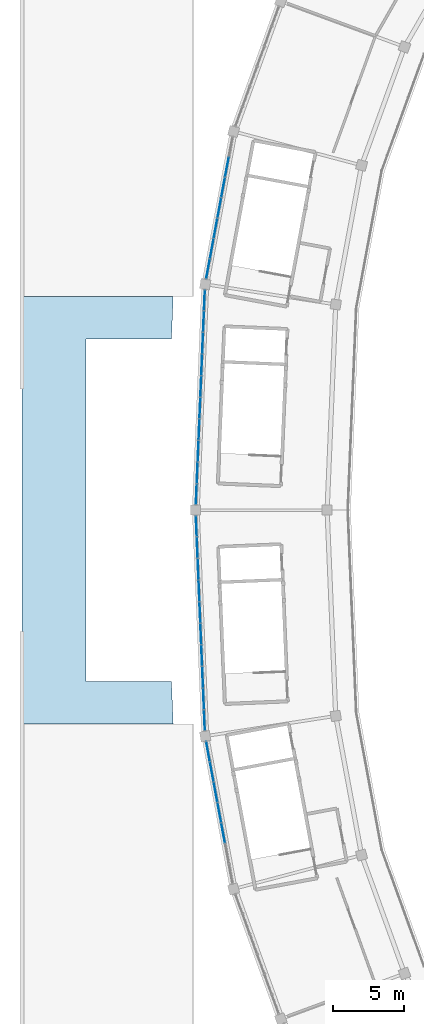
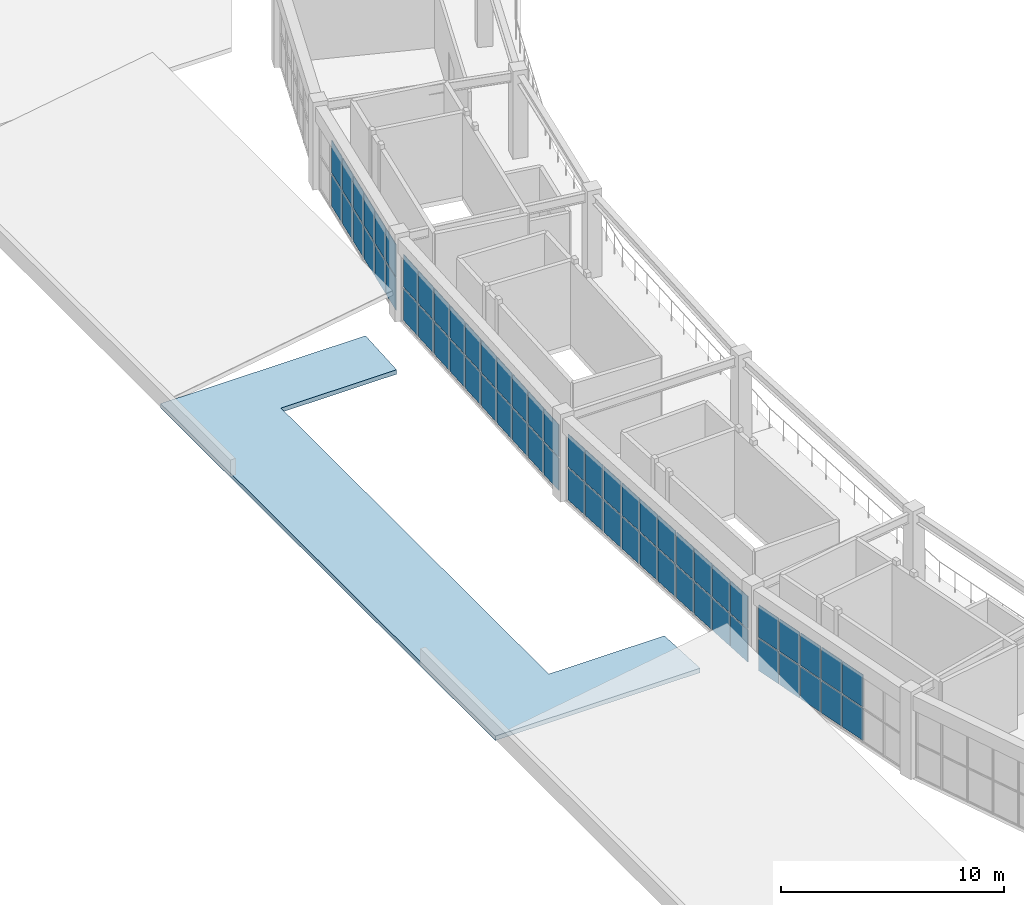
# One storey, part 31 of 45: 62 plates, 1 slab, 5 elements without a shape of their own.
"""IFC4 building model written with IfcOpenShell, lengths in metres."""

from ifc_helpers import new_model, si_unit, direction, frame, origin, origin_2d, place, context, subcontext, project, spatial, polyline, rectangle, outline, extrude, material, layer, layer_set, type_object, element, aggregate, save


model = new_model("IFC4")

# Units and contexts
model_context = context("Model", 3, precision=1e-05, world=origin(), true_north=direction((0.0, 1.0)))
body_context = subcontext(model_context, "Body", "Model", "MODEL_VIEW")
ifc_project = project(units=[si_unit("LENGTHUNIT", "METRE"), si_unit("AREAUNIT", "SQUARE_METRE"), si_unit("VOLUMEUNIT", "CUBIC_METRE"), si_unit("PLANEANGLEUNIT", "RADIAN"), si_unit("MASSUNIT", "GRAM", prefix="KILO")], contexts=[model_context])

# Site, building, storey
site_placement = place(None, origin())
site = spatial("IfcSite", under=ifc_project, at=site_placement, CompositionType="ELEMENT")
building_placement = place(site_placement, origin())
building = spatial("IfcBuilding", under=site, at=building_placement, Name="Mphavela Belvedere Stadium", CompositionType="ELEMENT")
storey_placement = place(building_placement, frame((0.0, 0.0, 24.0)))
storey = spatial("IfcBuildingStorey", under=building, at=storey_placement, Name="L05", CompositionType="ELEMENT", Elevation=24.0)

# Curtain wall, plates
ifc_material_1 = material(Name="Anodised bronze unitised curtain wall framing")
ifc_layer_1 = layer(ifc_material_1, 0.199951171875)
ifc_layer_set_1 = layer_set([ifc_layer_1], Name="Anodised bronze unitised curtain wall framing")
curtain_wall_type_1 = type_object("IfcCurtainWallType", Name="CW-UNIT-05", PredefinedType="USERDEFINED", material=ifc_layer_set_1)
curtain_wall_1_placement = place(storey_placement, origin())
curtain_wall_1 = element("IfcCurtainWall", 1, at=curtain_wall_1_placement, inside=storey, type_object=curtain_wall_type_1, Name="Belvedere colonnade curtain wall L05-23", ObjectType="UNITISED CURTAIN WALL", PredefinedType="USERDEFINED")
ifc_material_2 = material(Name="Solar-control double glazing", Category="glass")
ifc_layer_2 = layer(ifc_material_2, 0.031982421875)
ifc_layer_set_2 = layer_set([ifc_layer_2], Name="Solar-control double glazing")
plate_type = type_object("IfcPlateType", Name="CWP-SOLAR-GLASS", PredefinedType="CURTAIN_PANEL", material=ifc_layer_set_2)
plate_1_placement = place(storey_placement, frame((14.37255859375, 111.0703125, 0.06005859375), z_axis=(0.0, 0.0, 1.0), x_axis=(-0.182618040183, -0.98318393569, 0.0)))
plate_1 = element("IfcPlate", 2, at=plate_1_placement, type_object=plate_type, Name="CW-05 panel 2.1", PredefinedType="CURTAIN_PANEL", context=body_context, shape_type="SweptSolid", body=[
    extrude(rectangle(XDim=1.392822265625, YDim=0.031982421875, at=origin_2d()), origin(), (0.0, 0.0, 1.0), 1.77001953125),
])
plate_2_placement = place(storey_placement, frame((14.37255859375, 111.0703125, 1.889892578125), z_axis=(0.0, 0.0, 1.0), x_axis=(-0.182618040183, -0.98318393569, 0.0)))
plate_2 = element("IfcPlate", 3, at=plate_2_placement, type_object=plate_type, Name="CW-05 panel 2.2", PredefinedType="CURTAIN_PANEL", context=body_context, shape_type="SweptSolid", body=[
    extrude(rectangle(XDim=1.392822265625, YDim=0.031982421875, at=origin_2d()), origin(), (0.0, 0.0, 1.0), 1.77001953125),
])
plate_3_placement = place(storey_placement, frame((14.106201171875, 109.636962890625, 0.06005859375), z_axis=(0.0, 0.0, 1.0), x_axis=(-0.182618040183, -0.98318393569, 0.0)))
plate_3 = element("IfcPlate", 4, at=plate_3_placement, type_object=plate_type, Name="CW-05 panel 3.1", PredefinedType="CURTAIN_PANEL", context=body_context, shape_type="SweptSolid", body=[
    extrude(rectangle(XDim=1.392822265625, YDim=0.031982421875, at=origin_2d()), origin(), (0.0, 0.0, 1.0), 1.77001953125),
])
plate_4_placement = place(storey_placement, frame((14.106201171875, 109.636962890625, 1.889892578125), z_axis=(0.0, 0.0, 1.0), x_axis=(-0.182618040183, -0.98318393569, 0.0)))
plate_4 = element("IfcPlate", 5, at=plate_4_placement, type_object=plate_type, Name="CW-05 panel 3.2", PredefinedType="CURTAIN_PANEL", context=body_context, shape_type="SweptSolid", body=[
    extrude(rectangle(XDim=1.392822265625, YDim=0.031982421875, at=origin_2d()), origin(), (0.0, 0.0, 1.0), 1.77001953125),
])
plate_5_placement = place(storey_placement, frame((13.840087890625, 108.203857421875, 0.06005859375), z_axis=(0.0, 0.0, 1.0), x_axis=(-0.182618040183, -0.98318393569, 0.0)))
plate_5 = element("IfcPlate", 6, at=plate_5_placement, type_object=plate_type, Name="CW-05 panel 4.1", PredefinedType="CURTAIN_PANEL", context=body_context, shape_type="SweptSolid", body=[
    extrude(rectangle(XDim=1.392822265625, YDim=0.031982421875, at=origin_2d()), origin(), (0.0, 0.0, 1.0), 1.77001953125),
])
plate_6_placement = place(storey_placement, frame((13.840087890625, 108.203857421875, 1.889892578125), z_axis=(0.0, 0.0, 1.0), x_axis=(-0.182618040183, -0.98318393569, 0.0)))
plate_6 = element("IfcPlate", 7, at=plate_6_placement, type_object=plate_type, Name="CW-05 panel 4.2", PredefinedType="CURTAIN_PANEL", context=body_context, shape_type="SweptSolid", body=[
    extrude(rectangle(XDim=1.392822265625, YDim=0.031982421875, at=origin_2d()), origin(), (0.0, 0.0, 1.0), 1.77001953125),
])
plate_7_placement = place(storey_placement, frame((13.57373046875, 106.7705078125, 0.06005859375), z_axis=(0.0, 0.0, 1.0), x_axis=(-0.182618040183, -0.98318393569, 0.0)))
plate_7 = element("IfcPlate", 8, at=plate_7_placement, type_object=plate_type, Name="CW-05 panel 5.1", PredefinedType="CURTAIN_PANEL", context=body_context, shape_type="SweptSolid", body=[
    extrude(rectangle(XDim=1.392822265625, YDim=0.031982421875, at=origin_2d()), origin(), (0.0, 0.0, 1.0), 1.77001953125),
])
plate_8_placement = place(storey_placement, frame((13.57373046875, 106.7705078125, 1.889892578125), z_axis=(0.0, 0.0, 1.0), x_axis=(-0.182618040183, -0.98318393569, 0.0)))
plate_8 = element("IfcPlate", 9, at=plate_8_placement, type_object=plate_type, Name="CW-05 panel 5.2", PredefinedType="CURTAIN_PANEL", context=body_context, shape_type="SweptSolid", body=[
    extrude(rectangle(XDim=1.392822265625, YDim=0.031982421875, at=origin_2d()), origin(), (0.0, 0.0, 1.0), 1.77001953125),
])
plate_9_placement = place(storey_placement, frame((13.3076171875, 105.337158203125, 0.06005859375), z_axis=(0.0, 0.0, 1.0), x_axis=(-0.182618040183, -0.98318393569, 0.0)))
plate_9 = element("IfcPlate", 10, at=plate_9_placement, type_object=plate_type, Name="CW-05 panel 6.1", PredefinedType="CURTAIN_PANEL", context=body_context, shape_type="SweptSolid", body=[
    extrude(rectangle(XDim=1.392822265625, YDim=0.031982421875, at=origin_2d()), origin(), (0.0, 0.0, 1.0), 1.77001953125),
])
plate_10_placement = place(storey_placement, frame((13.3076171875, 105.337158203125, 1.889892578125), z_axis=(0.0, 0.0, 1.0), x_axis=(-0.182618040183, -0.98318393569, 0.0)))
plate_10 = element("IfcPlate", 11, at=plate_10_placement, type_object=plate_type, Name="CW-05 panel 6.2", PredefinedType="CURTAIN_PANEL", context=body_context, shape_type="SweptSolid", body=[
    extrude(rectangle(XDim=1.392822265625, YDim=0.031982421875, at=origin_2d()), origin(), (0.0, 0.0, 1.0), 1.77001953125),
])
plate_11_placement = place(storey_placement, frame((13.044189453125, 103.919677734375, 0.06005859375), z_axis=(0.0, 0.0, 1.0), x_axis=(-0.182618040183, -0.98318393569, 0.0)))
plate_11 = element("IfcPlate", 12, at=plate_11_placement, type_object=plate_type, Name="CW-05 panel 7.1", PredefinedType="CURTAIN_PANEL", context=body_context, shape_type="SweptSolid", body=[
    extrude(rectangle(XDim=1.3603515625, YDim=0.031982421875, at=origin_2d()), origin(), (0.0, 0.0, 1.0), 1.77001953125),
])
plate_12_placement = place(storey_placement, frame((13.044189453125, 103.919677734375, 1.889892578125), z_axis=(0.0, 0.0, 1.0), x_axis=(-0.182618040183, -0.98318393569, 0.0)))
plate_12 = element("IfcPlate", 13, at=plate_12_placement, type_object=plate_type, Name="CW-05 panel 7.2", PredefinedType="CURTAIN_PANEL", context=body_context, shape_type="SweptSolid", body=[
    extrude(rectangle(XDim=1.3603515625, YDim=0.031982421875, at=origin_2d()), origin(), (0.0, 0.0, 1.0), 1.77001953125),
])
aggregate(curtain_wall_1, [plate_1, plate_2, plate_3, plate_4, plate_5, plate_6, plate_7, plate_8, plate_9, plate_10, plate_11, plate_12])

ifc_material_3 = material(Name="Anodised bronze unitised curtain wall framing")
ifc_layer_3 = layer(ifc_material_3, 0.205078125)
ifc_layer_set_3 = layer_set([ifc_layer_3], Name="Anodised bronze unitised curtain wall framing")
curtain_wall_type_2 = type_object("IfcCurtainWallType", Name="CW-UNIT-06", PredefinedType="USERDEFINED", material=ifc_layer_set_3)
curtain_wall_2_placement = place(storey_placement, origin())
curtain_wall_2 = element("IfcCurtainWall", 14, at=curtain_wall_2_placement, inside=storey, type_object=curtain_wall_type_2, Name="Belvedere colonnade curtain wall L05-24", ObjectType="UNITISED CURTAIN WALL", PredefinedType="USERDEFINED")
plate_13_placement = place(storey_placement, frame((12.797607421875, 101.7236328125, 0.06005859375), z_axis=(0.0, 0.0, 1.0), x_axis=(-0.041904860066, -0.999121605563, 0.0)))
plate_13 = element("IfcPlate", 15, at=plate_13_placement, type_object=plate_type, Name="CW-06 panel 1.1", PredefinedType="CURTAIN_PANEL", context=body_context, shape_type="SweptSolid", body=[
    extrude(rectangle(XDim=1.418701171875, YDim=0.031982421875, at=origin_2d()), origin(), (0.0, 0.0, 1.0), 1.77001953125),
])
plate_14_placement = place(storey_placement, frame((12.797607421875, 101.7236328125, 1.889892578125), z_axis=(0.0, 0.0, 1.0), x_axis=(-0.041904860066, -0.999121605563, 0.0)))
plate_14 = element("IfcPlate", 16, at=plate_14_placement, type_object=plate_type, Name="CW-06 panel 1.2", PredefinedType="CURTAIN_PANEL", context=body_context, shape_type="SweptSolid", body=[
    extrude(rectangle(XDim=1.418701171875, YDim=0.031982421875, at=origin_2d()), origin(), (0.0, 0.0, 1.0), 1.77001953125),
])
plate_15_placement = place(storey_placement, frame((12.734619140625, 100.224853515625, 0.06005859375), z_axis=(0.0, 0.0, 1.0), x_axis=(-0.041904860066, -0.999121605563, 0.0)))
plate_15 = element("IfcPlate", 17, at=plate_15_placement, type_object=plate_type, Name="CW-06 panel 2.1", PredefinedType="CURTAIN_PANEL", context=body_context, shape_type="SweptSolid", body=[
    extrude(rectangle(XDim=1.451171875, YDim=0.031982421875, at=origin_2d()), origin(), (0.0, 0.0, 1.0), 1.77001953125),
])
plate_16_placement = place(storey_placement, frame((12.734619140625, 100.224853515625, 1.889892578125), z_axis=(0.0, 0.0, 1.0), x_axis=(-0.041904860066, -0.999121605563, 0.0)))
plate_16 = element("IfcPlate", 18, at=plate_16_placement, type_object=plate_type, Name="CW-06 panel 2.2", PredefinedType="CURTAIN_PANEL", context=body_context, shape_type="SweptSolid", body=[
    extrude(rectangle(XDim=1.451171875, YDim=0.031982421875, at=origin_2d()), origin(), (0.0, 0.0, 1.0), 1.77001953125),
])
plate_17_placement = place(storey_placement, frame((12.671142578125, 98.7099609375, 0.06005859375), z_axis=(0.0, 0.0, 1.0), x_axis=(-0.041904860066, -0.999121605563, 0.0)))
plate_17 = element("IfcPlate", 19, at=plate_17_placement, type_object=plate_type, Name="CW-06 panel 3.1", PredefinedType="CURTAIN_PANEL", context=body_context, shape_type="SweptSolid", body=[
    extrude(rectangle(XDim=1.451171875, YDim=0.031982421875, at=origin_2d()), origin(), (0.0, 0.0, 1.0), 1.77001953125),
])
plate_18_placement = place(storey_placement, frame((12.671142578125, 98.7099609375, 1.889892578125), z_axis=(0.0, 0.0, 1.0), x_axis=(-0.041904860066, -0.999121605563, 0.0)))
plate_18 = element("IfcPlate", 20, at=plate_18_placement, type_object=plate_type, Name="CW-06 panel 3.2", PredefinedType="CURTAIN_PANEL", context=body_context, shape_type="SweptSolid", body=[
    extrude(rectangle(XDim=1.451171875, YDim=0.031982421875, at=origin_2d()), origin(), (0.0, 0.0, 1.0), 1.77001953125),
])
plate_19_placement = place(storey_placement, frame((12.607666015625, 97.19482421875, 0.06005859375), z_axis=(0.0, 0.0, 1.0), x_axis=(-0.041904860066, -0.999121605563, 0.0)))
plate_19 = element("IfcPlate", 21, at=plate_19_placement, type_object=plate_type, Name="CW-06 panel 4.1", PredefinedType="CURTAIN_PANEL", context=body_context, shape_type="SweptSolid", body=[
    extrude(rectangle(XDim=1.451171875, YDim=0.031982421875, at=origin_2d()), origin(), (0.0, 0.0, 1.0), 1.77001953125),
])
plate_20_placement = place(storey_placement, frame((12.607666015625, 97.19482421875, 1.889892578125), z_axis=(0.0, 0.0, 1.0), x_axis=(-0.041904860066, -0.999121605563, 0.0)))
plate_20 = element("IfcPlate", 22, at=plate_20_placement, type_object=plate_type, Name="CW-06 panel 4.2", PredefinedType="CURTAIN_PANEL", context=body_context, shape_type="SweptSolid", body=[
    extrude(rectangle(XDim=1.451171875, YDim=0.031982421875, at=origin_2d()), origin(), (0.0, 0.0, 1.0), 1.77001953125),
])
plate_21_placement = place(storey_placement, frame((12.544189453125, 95.679931640625, 0.06005859375), z_axis=(0.0, 0.0, 1.0), x_axis=(-0.041904860066, -0.999121605563, 0.0)))
plate_21 = element("IfcPlate", 23, at=plate_21_placement, type_object=plate_type, Name="CW-06 panel 5.1", PredefinedType="CURTAIN_PANEL", context=body_context, shape_type="SweptSolid", body=[
    extrude(rectangle(XDim=1.451171875, YDim=0.031982421875, at=origin_2d()), origin(), (0.0, 0.0, 1.0), 1.77001953125),
])
plate_22_placement = place(storey_placement, frame((12.544189453125, 95.679931640625, 1.889892578125), z_axis=(0.0, 0.0, 1.0), x_axis=(-0.041904860066, -0.999121605563, 0.0)))
plate_22 = element("IfcPlate", 24, at=plate_22_placement, type_object=plate_type, Name="CW-06 panel 5.2", PredefinedType="CURTAIN_PANEL", context=body_context, shape_type="SweptSolid", body=[
    extrude(rectangle(XDim=1.451171875, YDim=0.031982421875, at=origin_2d()), origin(), (0.0, 0.0, 1.0), 1.77001953125),
])
plate_23_placement = place(storey_placement, frame((12.48046875, 94.1650390625, 0.06005859375), z_axis=(0.0, 0.0, 1.0), x_axis=(-0.041904860066, -0.999121605563, 0.0)))
plate_23 = element("IfcPlate", 25, at=plate_23_placement, type_object=plate_type, Name="CW-06 panel 6.1", PredefinedType="CURTAIN_PANEL", context=body_context, shape_type="SweptSolid", body=[
    extrude(rectangle(XDim=1.451171875, YDim=0.031982421875, at=origin_2d()), origin(), (0.0, 0.0, 1.0), 1.77001953125),
])
plate_24_placement = place(storey_placement, frame((12.48046875, 94.1650390625, 1.889892578125), z_axis=(0.0, 0.0, 1.0), x_axis=(-0.041904860066, -0.999121605563, 0.0)))
plate_24 = element("IfcPlate", 26, at=plate_24_placement, type_object=plate_type, Name="CW-06 panel 6.2", PredefinedType="CURTAIN_PANEL", context=body_context, shape_type="SweptSolid", body=[
    extrude(rectangle(XDim=1.451171875, YDim=0.031982421875, at=origin_2d()), origin(), (0.0, 0.0, 1.0), 1.77001953125),
])
plate_25_placement = place(storey_placement, frame((12.4169921875, 92.650146484375, 0.06005859375), z_axis=(0.0, 0.0, 1.0), x_axis=(-0.041904860066, -0.999121605563, 0.0)))
plate_25 = element("IfcPlate", 27, at=plate_25_placement, type_object=plate_type, Name="CW-06 panel 7.1", PredefinedType="CURTAIN_PANEL", context=body_context, shape_type="SweptSolid", body=[
    extrude(rectangle(XDim=1.451171875, YDim=0.031982421875, at=origin_2d()), origin(), (0.0, 0.0, 1.0), 1.77001953125),
])
plate_26_placement = place(storey_placement, frame((12.4169921875, 92.650146484375, 1.889892578125), z_axis=(0.0, 0.0, 1.0), x_axis=(-0.041904860066, -0.999121605563, 0.0)))
plate_26 = element("IfcPlate", 28, at=plate_26_placement, type_object=plate_type, Name="CW-06 panel 7.2", PredefinedType="CURTAIN_PANEL", context=body_context, shape_type="SweptSolid", body=[
    extrude(rectangle(XDim=1.451171875, YDim=0.031982421875, at=origin_2d()), origin(), (0.0, 0.0, 1.0), 1.77001953125),
])
plate_27_placement = place(storey_placement, frame((12.353515625, 91.135009765625, 0.06005859375), z_axis=(0.0, 0.0, 1.0), x_axis=(-0.041904860066, -0.999121605563, 0.0)))
plate_27 = element("IfcPlate", 29, at=plate_27_placement, type_object=plate_type, Name="CW-06 panel 8.1", PredefinedType="CURTAIN_PANEL", context=body_context, shape_type="SweptSolid", body=[
    extrude(rectangle(XDim=1.451171875, YDim=0.031982421875, at=origin_2d()), origin(), (0.0, 0.0, 1.0), 1.77001953125),
])
plate_28_placement = place(storey_placement, frame((12.353515625, 91.135009765625, 1.889892578125), z_axis=(0.0, 0.0, 1.0), x_axis=(-0.041904860066, -0.999121605563, 0.0)))
plate_28 = element("IfcPlate", 30, at=plate_28_placement, type_object=plate_type, Name="CW-06 panel 8.2", PredefinedType="CURTAIN_PANEL", context=body_context, shape_type="SweptSolid", body=[
    extrude(rectangle(XDim=1.451171875, YDim=0.031982421875, at=origin_2d()), origin(), (0.0, 0.0, 1.0), 1.77001953125),
])
plate_29_placement = place(storey_placement, frame((12.289794921875, 89.6201171875, 0.06005859375), z_axis=(0.0, 0.0, 1.0), x_axis=(-0.041904860066, -0.999121605563, 0.0)))
plate_29 = element("IfcPlate", 31, at=plate_29_placement, type_object=plate_type, Name="CW-06 panel 9.1", PredefinedType="CURTAIN_PANEL", context=body_context, shape_type="SweptSolid", body=[
    extrude(rectangle(XDim=1.451171875, YDim=0.031982421875, at=origin_2d()), origin(), (0.0, 0.0, 1.0), 1.77001953125),
])
plate_30_placement = place(storey_placement, frame((12.289794921875, 89.6201171875, 1.889892578125), z_axis=(0.0, 0.0, 1.0), x_axis=(-0.041904860066, -0.999121605563, 0.0)))
plate_30 = element("IfcPlate", 32, at=plate_30_placement, type_object=plate_type, Name="CW-06 panel 9.2", PredefinedType="CURTAIN_PANEL", context=body_context, shape_type="SweptSolid", body=[
    extrude(rectangle(XDim=1.451171875, YDim=0.031982421875, at=origin_2d()), origin(), (0.0, 0.0, 1.0), 1.77001953125),
])
plate_31_placement = place(storey_placement, frame((12.22705078125, 88.121337890625, 0.06005859375), z_axis=(0.0, 0.0, 1.0), x_axis=(-0.041904860066, -0.999121605563, 0.0)))
plate_31 = element("IfcPlate", 33, at=plate_31_placement, type_object=plate_type, Name="CW-06 panel 10.1", PredefinedType="CURTAIN_PANEL", context=body_context, shape_type="SweptSolid", body=[
    extrude(rectangle(XDim=1.418701171875, YDim=0.031982421875, at=origin_2d()), origin(), (0.0, 0.0, 1.0), 1.77001953125),
])
plate_32_placement = place(storey_placement, frame((12.22705078125, 88.121337890625, 1.889892578125), z_axis=(0.0, 0.0, 1.0), x_axis=(-0.041904860066, -0.999121605563, 0.0)))
plate_32 = element("IfcPlate", 34, at=plate_32_placement, type_object=plate_type, Name="CW-06 panel 10.2", PredefinedType="CURTAIN_PANEL", context=body_context, shape_type="SweptSolid", body=[
    extrude(rectangle(XDim=1.418701171875, YDim=0.031982421875, at=origin_2d()), origin(), (0.0, 0.0, 1.0), 1.77001953125),
])
aggregate(curtain_wall_2, [plate_13, plate_14, plate_15, plate_16, plate_17, plate_18, plate_19, plate_20, plate_21, plate_22, plate_23, plate_24, plate_25, plate_26, plate_27, plate_28, plate_29, plate_30, plate_31, plate_32])

ifc_material_4 = material(Name="Anodised bronze unitised curtain wall framing")
ifc_layer_4 = layer(ifc_material_4, 0.179931640625)
ifc_layer_set_4 = layer_set([ifc_layer_4], Name="Anodised bronze unitised curtain wall framing")
curtain_wall_type_3 = type_object("IfcCurtainWallType", Name="CW-UNIT-01", PredefinedType="USERDEFINED", material=ifc_layer_set_4)
curtain_wall_3_placement = place(storey_placement, origin())
curtain_wall_3 = element("IfcCurtainWall", 35, at=curtain_wall_3_placement, inside=storey, type_object=curtain_wall_type_3, Name="Belvedere colonnade curtain wall L05-25", ObjectType="UNITISED CURTAIN WALL", PredefinedType="USERDEFINED")
plate_33_placement = place(storey_placement, frame((12.22705078125, 85.878662109375, 0.06005859375), z_axis=(0.0, 0.0, 1.0), x_axis=(0.041904860066, -0.999121605563, 0.0)))
plate_33 = element("IfcPlate", 36, at=plate_33_placement, type_object=plate_type, Name="CW-01 panel 1.1", PredefinedType="CURTAIN_PANEL", context=body_context, shape_type="SweptSolid", body=[
    extrude(rectangle(XDim=1.418701171875, YDim=0.031982421875, at=origin_2d()), origin(), (0.0, 0.0, 1.0), 1.77001953125),
])
plate_34_placement = place(storey_placement, frame((12.22705078125, 85.878662109375, 1.889892578125), z_axis=(0.0, 0.0, 1.0), x_axis=(0.041904860066, -0.999121605563, 0.0)))
plate_34 = element("IfcPlate", 37, at=plate_34_placement, type_object=plate_type, Name="CW-01 panel 1.2", PredefinedType="CURTAIN_PANEL", context=body_context, shape_type="SweptSolid", body=[
    extrude(rectangle(XDim=1.418701171875, YDim=0.031982421875, at=origin_2d()), origin(), (0.0, 0.0, 1.0), 1.77001953125),
])
plate_35_placement = place(storey_placement, frame((12.289794921875, 84.3798828125, 0.06005859375), z_axis=(0.0, 0.0, 1.0), x_axis=(0.041904860066, -0.999121605563, 0.0)))
plate_35 = element("IfcPlate", 38, at=plate_35_placement, type_object=plate_type, Name="CW-01 panel 2.1", PredefinedType="CURTAIN_PANEL", context=body_context, shape_type="SweptSolid", body=[
    extrude(rectangle(XDim=1.451171875, YDim=0.031982421875, at=origin_2d()), origin(), (0.0, 0.0, 1.0), 1.77001953125),
])
plate_36_placement = place(storey_placement, frame((12.289794921875, 84.3798828125, 1.889892578125), z_axis=(0.0, 0.0, 1.0), x_axis=(0.041904860066, -0.999121605563, 0.0)))
plate_36 = element("IfcPlate", 39, at=plate_36_placement, type_object=plate_type, Name="CW-01 panel 2.2", PredefinedType="CURTAIN_PANEL", context=body_context, shape_type="SweptSolid", body=[
    extrude(rectangle(XDim=1.451171875, YDim=0.031982421875, at=origin_2d()), origin(), (0.0, 0.0, 1.0), 1.77001953125),
])
plate_37_placement = place(storey_placement, frame((12.353515625, 82.864990234375, 0.06005859375), z_axis=(0.0, 0.0, 1.0), x_axis=(0.041904860066, -0.999121605563, 0.0)))
plate_37 = element("IfcPlate", 40, at=plate_37_placement, type_object=plate_type, Name="CW-01 panel 3.1", PredefinedType="CURTAIN_PANEL", context=body_context, shape_type="SweptSolid", body=[
    extrude(rectangle(XDim=1.451171875, YDim=0.031982421875, at=origin_2d()), origin(), (0.0, 0.0, 1.0), 1.77001953125),
])
plate_38_placement = place(storey_placement, frame((12.353515625, 82.864990234375, 1.889892578125), z_axis=(0.0, 0.0, 1.0), x_axis=(0.041904860066, -0.999121605563, 0.0)))
plate_38 = element("IfcPlate", 41, at=plate_38_placement, type_object=plate_type, Name="CW-01 panel 3.2", PredefinedType="CURTAIN_PANEL", context=body_context, shape_type="SweptSolid", body=[
    extrude(rectangle(XDim=1.451171875, YDim=0.031982421875, at=origin_2d()), origin(), (0.0, 0.0, 1.0), 1.77001953125),
])
plate_39_placement = place(storey_placement, frame((12.4169921875, 81.349853515625, 0.06005859375), z_axis=(0.0, 0.0, 1.0), x_axis=(0.041904860066, -0.999121605563, 0.0)))
plate_39 = element("IfcPlate", 42, at=plate_39_placement, type_object=plate_type, Name="CW-01 panel 4.1", PredefinedType="CURTAIN_PANEL", context=body_context, shape_type="SweptSolid", body=[
    extrude(rectangle(XDim=1.451171875, YDim=0.031982421875, at=origin_2d()), origin(), (0.0, 0.0, 1.0), 1.77001953125),
])
plate_40_placement = place(storey_placement, frame((12.4169921875, 81.349853515625, 1.889892578125), z_axis=(0.0, 0.0, 1.0), x_axis=(0.041904860066, -0.999121605563, 0.0)))
plate_40 = element("IfcPlate", 43, at=plate_40_placement, type_object=plate_type, Name="CW-01 panel 4.2", PredefinedType="CURTAIN_PANEL", context=body_context, shape_type="SweptSolid", body=[
    extrude(rectangle(XDim=1.451171875, YDim=0.031982421875, at=origin_2d()), origin(), (0.0, 0.0, 1.0), 1.77001953125),
])
plate_41_placement = place(storey_placement, frame((12.48046875, 79.8349609375, 0.06005859375), z_axis=(0.0, 0.0, 1.0), x_axis=(0.041904860066, -0.999121605563, 0.0)))
plate_41 = element("IfcPlate", 44, at=plate_41_placement, type_object=plate_type, Name="CW-01 panel 5.1", PredefinedType="CURTAIN_PANEL", context=body_context, shape_type="SweptSolid", body=[
    extrude(rectangle(XDim=1.451171875, YDim=0.031982421875, at=origin_2d()), origin(), (0.0, 0.0, 1.0), 1.77001953125),
])
plate_42_placement = place(storey_placement, frame((12.48046875, 79.8349609375, 1.889892578125), z_axis=(0.0, 0.0, 1.0), x_axis=(0.041904860066, -0.999121605563, 0.0)))
plate_42 = element("IfcPlate", 45, at=plate_42_placement, type_object=plate_type, Name="CW-01 panel 5.2", PredefinedType="CURTAIN_PANEL", context=body_context, shape_type="SweptSolid", body=[
    extrude(rectangle(XDim=1.451171875, YDim=0.031982421875, at=origin_2d()), origin(), (0.0, 0.0, 1.0), 1.77001953125),
])
plate_43_placement = place(storey_placement, frame((12.544189453125, 78.320068359375, 0.06005859375), z_axis=(0.0, 0.0, 1.0), x_axis=(0.041904860066, -0.999121605563, 0.0)))
plate_43 = element("IfcPlate", 46, at=plate_43_placement, type_object=plate_type, Name="CW-01 panel 6.1", PredefinedType="CURTAIN_PANEL", context=body_context, shape_type="SweptSolid", body=[
    extrude(rectangle(XDim=1.451171875, YDim=0.031982421875, at=origin_2d()), origin(), (0.0, 0.0, 1.0), 1.77001953125),
])
plate_44_placement = place(storey_placement, frame((12.544189453125, 78.320068359375, 1.889892578125), z_axis=(0.0, 0.0, 1.0), x_axis=(0.041904860066, -0.999121605563, 0.0)))
plate_44 = element("IfcPlate", 47, at=plate_44_placement, type_object=plate_type, Name="CW-01 panel 6.2", PredefinedType="CURTAIN_PANEL", context=body_context, shape_type="SweptSolid", body=[
    extrude(rectangle(XDim=1.451171875, YDim=0.031982421875, at=origin_2d()), origin(), (0.0, 0.0, 1.0), 1.77001953125),
])
plate_45_placement = place(storey_placement, frame((12.607666015625, 76.80517578125, 0.06005859375), z_axis=(0.0, 0.0, 1.0), x_axis=(0.041904860066, -0.999121605563, 0.0)))
plate_45 = element("IfcPlate", 48, at=plate_45_placement, type_object=plate_type, Name="CW-01 panel 7.1", PredefinedType="CURTAIN_PANEL", context=body_context, shape_type="SweptSolid", body=[
    extrude(rectangle(XDim=1.451171875, YDim=0.031982421875, at=origin_2d()), origin(), (0.0, 0.0, 1.0), 1.77001953125),
])
plate_46_placement = place(storey_placement, frame((12.607666015625, 76.80517578125, 1.889892578125), z_axis=(0.0, 0.0, 1.0), x_axis=(0.041904860066, -0.999121605563, 0.0)))
plate_46 = element("IfcPlate", 49, at=plate_46_placement, type_object=plate_type, Name="CW-01 panel 7.2", PredefinedType="CURTAIN_PANEL", context=body_context, shape_type="SweptSolid", body=[
    extrude(rectangle(XDim=1.451171875, YDim=0.031982421875, at=origin_2d()), origin(), (0.0, 0.0, 1.0), 1.77001953125),
])
plate_47_placement = place(storey_placement, frame((12.671142578125, 75.2900390625, 0.06005859375), z_axis=(0.0, 0.0, 1.0), x_axis=(0.041904860066, -0.999121605563, 0.0)))
plate_47 = element("IfcPlate", 50, at=plate_47_placement, type_object=plate_type, Name="CW-01 panel 8.1", PredefinedType="CURTAIN_PANEL", context=body_context, shape_type="SweptSolid", body=[
    extrude(rectangle(XDim=1.451171875, YDim=0.031982421875, at=origin_2d()), origin(), (0.0, 0.0, 1.0), 1.77001953125),
])
plate_48_placement = place(storey_placement, frame((12.671142578125, 75.2900390625, 1.889892578125), z_axis=(0.0, 0.0, 1.0), x_axis=(0.041904860066, -0.999121605563, 0.0)))
plate_48 = element("IfcPlate", 51, at=plate_48_placement, type_object=plate_type, Name="CW-01 panel 8.2", PredefinedType="CURTAIN_PANEL", context=body_context, shape_type="SweptSolid", body=[
    extrude(rectangle(XDim=1.451171875, YDim=0.031982421875, at=origin_2d()), origin(), (0.0, 0.0, 1.0), 1.77001953125),
])
plate_49_placement = place(storey_placement, frame((12.734619140625, 73.775146484375, 0.06005859375), z_axis=(0.0, 0.0, 1.0), x_axis=(0.041904860066, -0.999121605563, 0.0)))
plate_49 = element("IfcPlate", 52, at=plate_49_placement, type_object=plate_type, Name="CW-01 panel 9.1", PredefinedType="CURTAIN_PANEL", context=body_context, shape_type="SweptSolid", body=[
    extrude(rectangle(XDim=1.451171875, YDim=0.031982421875, at=origin_2d()), origin(), (0.0, 0.0, 1.0), 1.77001953125),
])
plate_50_placement = place(storey_placement, frame((12.734619140625, 73.775146484375, 1.889892578125), z_axis=(0.0, 0.0, 1.0), x_axis=(0.041904860066, -0.999121605563, 0.0)))
plate_50 = element("IfcPlate", 53, at=plate_50_placement, type_object=plate_type, Name="CW-01 panel 9.2", PredefinedType="CURTAIN_PANEL", context=body_context, shape_type="SweptSolid", body=[
    extrude(rectangle(XDim=1.451171875, YDim=0.031982421875, at=origin_2d()), origin(), (0.0, 0.0, 1.0), 1.77001953125),
])
plate_51_placement = place(storey_placement, frame((12.797607421875, 72.2763671875, 0.06005859375), z_axis=(0.0, 0.0, 1.0), x_axis=(0.041904860066, -0.999121605563, 0.0)))
plate_51 = element("IfcPlate", 54, at=plate_51_placement, type_object=plate_type, Name="CW-01 panel 10.1", PredefinedType="CURTAIN_PANEL", context=body_context, shape_type="SweptSolid", body=[
    extrude(rectangle(XDim=1.418701171875, YDim=0.031982421875, at=origin_2d()), origin(), (0.0, 0.0, 1.0), 1.77001953125),
])
plate_52_placement = place(storey_placement, frame((12.797607421875, 72.2763671875, 1.889892578125), z_axis=(0.0, 0.0, 1.0), x_axis=(0.041904860066, -0.999121605563, 0.0)))
plate_52 = element("IfcPlate", 55, at=plate_52_placement, type_object=plate_type, Name="CW-01 panel 10.2", PredefinedType="CURTAIN_PANEL", context=body_context, shape_type="SweptSolid", body=[
    extrude(rectangle(XDim=1.418701171875, YDim=0.031982421875, at=origin_2d()), origin(), (0.0, 0.0, 1.0), 1.77001953125),
])
aggregate(curtain_wall_3, [plate_33, plate_34, plate_35, plate_36, plate_37, plate_38, plate_39, plate_40, plate_41, plate_42, plate_43, plate_44, plate_45, plate_46, plate_47, plate_48, plate_49, plate_50, plate_51, plate_52])

ifc_material_5 = material(Name="Anodised bronze unitised curtain wall framing")
ifc_layer_5 = layer(ifc_material_5, 0.18505859375)
ifc_layer_set_5 = layer_set([ifc_layer_5], Name="Anodised bronze unitised curtain wall framing")
curtain_wall_type_4 = type_object("IfcCurtainWallType", Name="CW-UNIT-02", PredefinedType="USERDEFINED", material=ifc_layer_set_5)
curtain_wall_4_placement = place(storey_placement, origin())
curtain_wall_4 = element("IfcCurtainWall", 56, at=curtain_wall_4_placement, inside=storey, type_object=curtain_wall_type_4, Name="Belvedere colonnade curtain wall L05-26", ObjectType="UNITISED CURTAIN WALL", PredefinedType="USERDEFINED")
plate_53_placement = place(storey_placement, frame((13.044189453125, 70.080322265625, 0.06005859375), z_axis=(0.0, 0.0, 1.0), x_axis=(0.182618040183, -0.98318393569, 0.0)))
plate_53 = element("IfcPlate", 57, at=plate_53_placement, type_object=plate_type, Name="CW-02 panel 1.1", PredefinedType="CURTAIN_PANEL", context=body_context, shape_type="SweptSolid", body=[
    extrude(rectangle(XDim=1.3603515625, YDim=0.031982421875, at=origin_2d()), origin(), (0.0, 0.0, 1.0), 1.77001953125),
])
plate_54_placement = place(storey_placement, frame((13.044189453125, 70.080322265625, 1.889892578125), z_axis=(0.0, 0.0, 1.0), x_axis=(0.182618040183, -0.98318393569, 0.0)))
plate_54 = element("IfcPlate", 58, at=plate_54_placement, type_object=plate_type, Name="CW-02 panel 1.2", PredefinedType="CURTAIN_PANEL", context=body_context, shape_type="SweptSolid", body=[
    extrude(rectangle(XDim=1.3603515625, YDim=0.031982421875, at=origin_2d()), origin(), (0.0, 0.0, 1.0), 1.77001953125),
])
plate_55_placement = place(storey_placement, frame((13.3076171875, 68.662841796875, 0.06005859375), z_axis=(0.0, 0.0, 1.0), x_axis=(0.182618040183, -0.98318393569, 0.0)))
plate_55 = element("IfcPlate", 59, at=plate_55_placement, type_object=plate_type, Name="CW-02 panel 2.1", PredefinedType="CURTAIN_PANEL", context=body_context, shape_type="SweptSolid", body=[
    extrude(rectangle(XDim=1.392822265625, YDim=0.031982421875, at=origin_2d()), origin(), (0.0, 0.0, 1.0), 1.77001953125),
])
plate_56_placement = place(storey_placement, frame((13.3076171875, 68.662841796875, 1.889892578125), z_axis=(0.0, 0.0, 1.0), x_axis=(0.182618040183, -0.98318393569, 0.0)))
plate_56 = element("IfcPlate", 60, at=plate_56_placement, type_object=plate_type, Name="CW-02 panel 2.2", PredefinedType="CURTAIN_PANEL", context=body_context, shape_type="SweptSolid", body=[
    extrude(rectangle(XDim=1.392822265625, YDim=0.031982421875, at=origin_2d()), origin(), (0.0, 0.0, 1.0), 1.77001953125),
])
plate_57_placement = place(storey_placement, frame((13.57373046875, 67.2294921875, 0.06005859375), z_axis=(0.0, 0.0, 1.0), x_axis=(0.182618040183, -0.98318393569, 0.0)))
plate_57 = element("IfcPlate", 61, at=plate_57_placement, type_object=plate_type, Name="CW-02 panel 3.1", PredefinedType="CURTAIN_PANEL", context=body_context, shape_type="SweptSolid", body=[
    extrude(rectangle(XDim=1.392822265625, YDim=0.031982421875, at=origin_2d()), origin(), (0.0, 0.0, 1.0), 1.77001953125),
])
plate_58_placement = place(storey_placement, frame((13.57373046875, 67.2294921875, 1.889892578125), z_axis=(0.0, 0.0, 1.0), x_axis=(0.182618040183, -0.98318393569, 0.0)))
plate_58 = element("IfcPlate", 62, at=plate_58_placement, type_object=plate_type, Name="CW-02 panel 3.2", PredefinedType="CURTAIN_PANEL", context=body_context, shape_type="SweptSolid", body=[
    extrude(rectangle(XDim=1.392822265625, YDim=0.031982421875, at=origin_2d()), origin(), (0.0, 0.0, 1.0), 1.77001953125),
])
plate_59_placement = place(storey_placement, frame((13.840087890625, 65.796142578125, 0.06005859375), z_axis=(0.0, 0.0, 1.0), x_axis=(0.182618040183, -0.98318393569, 0.0)))
plate_59 = element("IfcPlate", 63, at=plate_59_placement, type_object=plate_type, Name="CW-02 panel 4.1", PredefinedType="CURTAIN_PANEL", context=body_context, shape_type="SweptSolid", body=[
    extrude(rectangle(XDim=1.392822265625, YDim=0.031982421875, at=origin_2d()), origin(), (0.0, 0.0, 1.0), 1.77001953125),
])
plate_60_placement = place(storey_placement, frame((13.840087890625, 65.796142578125, 1.889892578125), z_axis=(0.0, 0.0, 1.0), x_axis=(0.182618040183, -0.98318393569, 0.0)))
plate_60 = element("IfcPlate", 64, at=plate_60_placement, type_object=plate_type, Name="CW-02 panel 4.2", PredefinedType="CURTAIN_PANEL", context=body_context, shape_type="SweptSolid", body=[
    extrude(rectangle(XDim=1.392822265625, YDim=0.031982421875, at=origin_2d()), origin(), (0.0, 0.0, 1.0), 1.77001953125),
])
plate_61_placement = place(storey_placement, frame((14.106201171875, 64.363037109375, 0.06005859375), z_axis=(0.0, 0.0, 1.0), x_axis=(0.182618040183, -0.98318393569, 0.0)))
plate_61 = element("IfcPlate", 65, at=plate_61_placement, type_object=plate_type, Name="CW-02 panel 5.1", PredefinedType="CURTAIN_PANEL", context=body_context, shape_type="SweptSolid", body=[
    extrude(rectangle(XDim=1.392822265625, YDim=0.031982421875, at=origin_2d()), origin(), (0.0, 0.0, 1.0), 1.77001953125),
])
plate_62_placement = place(storey_placement, frame((14.106201171875, 64.363037109375, 1.889892578125), z_axis=(0.0, 0.0, 1.0), x_axis=(0.182618040183, -0.98318393569, 0.0)))
plate_62 = element("IfcPlate", 66, at=plate_62_placement, type_object=plate_type, Name="CW-02 panel 5.2", PredefinedType="CURTAIN_PANEL", context=body_context, shape_type="SweptSolid", body=[
    extrude(rectangle(XDim=1.392822265625, YDim=0.031982421875, at=origin_2d()), origin(), (0.0, 0.0, 1.0), 1.77001953125),
])
aggregate(curtain_wall_4, [plate_53, plate_54, plate_55, plate_56, plate_57, plate_58, plate_59, plate_60, plate_61, plate_62])

# Roof, slab
ifc_material_6 = material(Name="Standing-seam zinc roofing membrane")
roof_type = type_object("IfcRoofType", Name="ROOF-PEDIMENT-ASSY", PredefinedType="GABLE_ROOF", material=ifc_material_6)
roof_placement = place(storey_placement, origin())
roof = element("IfcRoof", 67, at=roof_placement, inside=storey, type_object=roof_type, Name="West Planted Eaves Peristyle Colonnade classical pediment roof", PredefinedType="GABLE_ROOF")
ifc_material_7 = material(Name="Standing-seam zinc insulated roof over Concrete C40/50", Category="concrete")
ifc_layer_6 = layer(ifc_material_7, 0.239990234375)
ifc_layer_set_6 = layer_set([ifc_layer_6], Name="Standing-seam zinc insulated roof over Concrete C40/50")
slab_type = type_object("IfcSlabType", Name="SLB-ROOF-ZINC-240", PredefinedType="ROOF", material=ifc_layer_set_6)
slab_placement = place(storey_placement, origin())
slab = element("IfcSlab", 68, at=slab_placement, type_object=slab_type, Name="West Planted Eaves Peristyle Colonnade insulated roof deck 2", PredefinedType="ROOF", context=body_context, shape_type="SweptSolid", body=[
    extrude(outline(polyline([(10.4814453125, 99.0), (4.5, 99.0), (4.5, 75.0), (10.4814453125, 75.0), (10.607177734375, 72.0), (0.0, 72.0), (0.0, 102.0), (10.607177734375, 102.0), (10.4814453125, 99.0)])), origin(), (0.0, 0.0, 1.0), 0.239990234375),
])
aggregate(roof, [slab])

save(model, "model.ifc")
